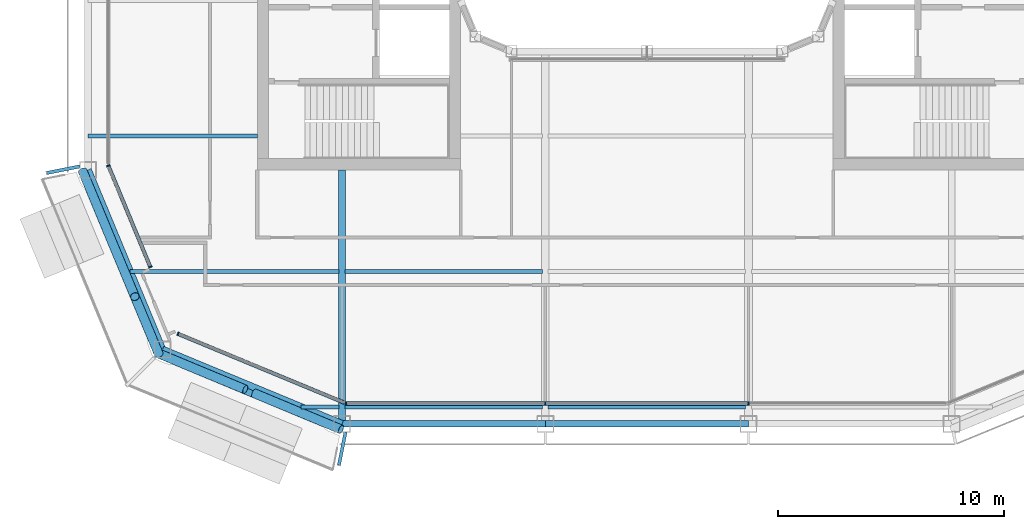
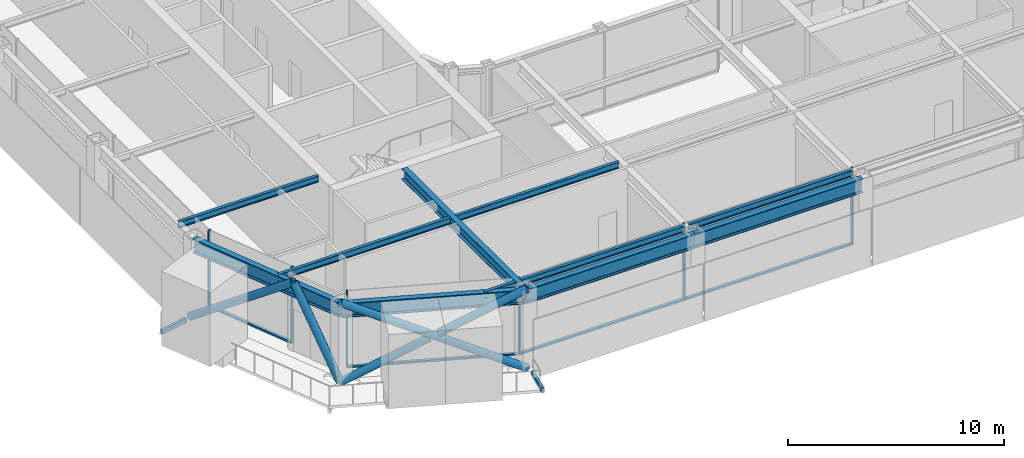
# One storey, part 2 of 20: 15 members, 13 beams, 3 elements without a shape of their own.
"""IFC4 building model written with IfcOpenShell, lengths in metres."""

import ifcopenshell
import ifcopenshell.guid

model = None  # the IFC model being written
_history = None  # IfcOwnerHistory: only IFC2X3 demands one
_inside = {}  # id of a spatial element -> (the spatial element, [elements in it])
_under = {}  # id of a project, library or spatial element -> (it, [spatial elements below it])
_declared = {}  # id of a project -> (the project, [libraries it declares])
_typed = {}  # id of a type object -> (the type object, [elements of that type])
_made_of = {}  # id of a material, layer set ... -> (it, [elements and type objects made of it])


def new_model(schema):
    """Start an empty IFC model of exactly this schema.

    Asked for "IFC4X3", IfcOpenShell would pick the latest addendum, in which some entities
    have other attributes; the version numbers below select the first issue.
    IFC2X3 requires an IfcOwnerHistory on every rooted entity: one is made here for all.
    """
    global model, _history
    if schema == "IFC4X3":
        model = ifcopenshell.file(schema_version=(4, 3, 0, 0))
    else:
        model = ifcopenshell.file(schema=schema)
    _inside.clear()
    _under.clear()
    _declared.clear()
    _typed.clear()
    _made_of.clear()
    _history = None
    if model.schema == "IFC2X3":
        org = make("IfcOrganization", Name="unknown")
        user = make(
            "IfcPersonAndOrganization",
            ThePerson=make("IfcPerson", FamilyName="unknown"),
            TheOrganization=org,
        )
        app = make(
            "IfcApplication",
            ApplicationDeveloper=org,
            Version="unknown",
            ApplicationFullName="unknown",
            ApplicationIdentifier="unknown",
        )
        _history = make(
            "IfcOwnerHistory",
            OwningUser=user,
            OwningApplication=app,
            ChangeAction="ADDED",
            CreationDate=0,
        )
    return model


def make(cls, **values):
    """One entity of the class cls with the attributes given. An attribute that is None is left unset."""
    return model.create_entity(
        cls, **{name: value for name, value in values.items() if value is not None}
    )


def rooted(cls, **values):
    """An entity with a GlobalId (a new one), such as an element, a storey or a relation."""
    return make(cls, GlobalId=ifcopenshell.guid.new(), OwnerHistory=_history, **values)


def si_unit(unit_type, name, prefix=None):
    """IfcSIUnit, for example si_unit("LENGTHUNIT", "METRE", prefix="MILLI")."""
    return make("IfcSIUnit", UnitType=unit_type, Prefix=prefix, Name=name)


def assignment(units):
    """IfcUnitAssignment: the units of a project."""
    return None if units is None else make("IfcUnitAssignment", Units=units)


def point(xyz):
    """IfcCartesianPoint."""
    return None if xyz is None else make("IfcCartesianPoint", Coordinates=xyz)


def direction(xyz):
    """IfcDirection."""
    return None if xyz is None else make("IfcDirection", DirectionRatios=xyz)


def frame(location, z_axis=None, x_axis=None):
    """IfcAxis2Placement3D, a coordinate frame: its origin and axes. An axis left out is left unset."""
    return make(
        "IfcAxis2Placement3D",
        Location=point(location),
        Axis=direction(z_axis),
        RefDirection=direction(x_axis),
    )


def frame_2d(location, x_axis=None):
    """IfcAxis2Placement2D, a coordinate frame in the plane: its origin and x axis."""
    return make(
        "IfcAxis2Placement2D", Location=point(location), RefDirection=direction(x_axis)
    )


def origin():
    """The frame at (0, 0, 0) with its axes left unset."""
    return frame((0.0, 0.0, 0.0))


def origin_2d():
    """The frame at (0, 0) in the plane with its x axis left unset."""
    return frame_2d((0.0, 0.0))


def place(relative_to, where):
    """IfcLocalPlacement: puts the frame where relative to a parent placement (None: the world)."""
    return make(
        "IfcLocalPlacement", PlacementRelTo=relative_to, RelativePlacement=where
    )


def context(
    kind, dimensions, precision=None, world=None, true_north=None, identifier=None
):
    """IfcGeometricRepresentationContext, for example the 3D "Model" context."""
    return make(
        "IfcGeometricRepresentationContext",
        ContextIdentifier=identifier,
        ContextType=kind,
        CoordinateSpaceDimension=dimensions,
        Precision=precision,
        WorldCoordinateSystem=world,
        TrueNorth=true_north,
    )


def subcontext(parent, identifier, kind, view, scale=None):
    """IfcGeometricRepresentationSubContext, for example "Body" below "Model"."""
    return make(
        "IfcGeometricRepresentationSubContext",
        ContextIdentifier=identifier,
        ContextType=kind,
        ParentContext=parent,
        TargetScale=scale,
        TargetView=view,
    )


def project(units=None, contexts=None):
    """IfcProject with its units and contexts."""
    return rooted(
        "IfcProject",
        Name="project",
        RepresentationContexts=contexts,
        UnitsInContext=assignment(units),
    )


def spatial(cls, under=None, at=None, **own):
    """A site, building, storey or space (cls), placed at a placement, below another one or the project."""
    s = rooted(cls, ObjectPlacement=at, **own)
    if under is not None:
        _under.setdefault(under.id(), (under, []))[1].append(s)
    return s


def profile(cls, at=None, kind="AREA", **sizes):
    """A parametric profile (cls). Its sizes go by their IFC names, for example OverallWidth=200.0."""
    return make(cls, ProfileType=kind, Position=at, **sizes)


def rectangle(**sizes):
    """IfcRectangleProfileDef."""
    return profile("IfcRectangleProfileDef", **sizes)


def hollow_rectangle(**sizes):
    """IfcRectangleHollowProfileDef."""
    return profile("IfcRectangleHollowProfileDef", **sizes)


def hollow_circle(**sizes):
    """IfcCircleHollowProfileDef."""
    return profile("IfcCircleHollowProfileDef", **sizes)


def i_section(**sizes):
    """IfcIShapeProfileDef."""
    return profile("IfcIShapeProfileDef", **sizes)


def extrude(swept, where, along, depth):
    """IfcExtrudedAreaSolid: the profile swept, set in the frame where, extruded along a direction by depth."""
    return make(
        "IfcExtrudedAreaSolid",
        SweptArea=swept,
        Position=where,
        ExtrudedDirection=direction(along),
        Depth=depth,
    )


def shape(context_of_items, identifier, shape_type, items):
    """IfcShapeRepresentation: the items that make up one representation, for example the "Body"."""
    return make(
        "IfcShapeRepresentation",
        ContextOfItems=context_of_items,
        RepresentationIdentifier=identifier,
        RepresentationType=shape_type,
        Items=items,
    )


def material(Name=None, Category=None):
    """IfcMaterial."""
    return make("IfcMaterial", Name=Name, Category=Category)


def layer(
    of_material, thickness, ventilated=None, Name=None, Category=None, Priority=None
):
    """IfcMaterialLayer: one layer of a wall or slab, of a material (None: an air gap)."""
    return make(
        "IfcMaterialLayer",
        Material=of_material,
        LayerThickness=thickness,
        IsVentilated=ventilated,
        Name=Name,
        Category=Category,
        Priority=Priority,
    )


def layer_set(layers, Name=None):
    """IfcMaterialLayerSet."""
    return make("IfcMaterialLayerSet", MaterialLayers=layers, LayerSetName=Name)


def material_profile(
    of_material, cross_section, Name=None, Category=None, Priority=None
):
    """IfcMaterialProfile: a cross section and its material."""
    return make(
        "IfcMaterialProfile",
        Name=Name,
        Material=of_material,
        Profile=cross_section,
        Priority=Priority,
        Category=Category,
    )


def profile_set(profiles, Name=None, composite=None):
    """IfcMaterialProfileSet."""
    return make(
        "IfcMaterialProfileSet",
        Name=Name,
        MaterialProfiles=profiles,
        CompositeProfile=composite,
    )


def made_of(thing, what):
    """Note that an element or type object is made of a material, layer set ...; save() writes the relation."""
    if what is not None:
        _made_of.setdefault(what.id(), (what, []))[1].append(thing)
    return thing


def type_object(cls, material=None, **own):
    """A type object (cls), such as IfcWallType, which elements share."""
    return made_of(rooted(cls, **own), material)


def element(
    cls,
    number,
    at=None,
    inside=None,
    cuts=None,
    type_object=None,
    material=None,
    context=None,
    identifier="Body",
    shape_type=None,
    held_by="IfcProductDefinitionShape",
    body=None,
    shapes=None,
    **own,
):
    """One element of the class cls, such as IfcWall. Its Tag is "e" and its number.

    at: its placement. inside: the storey or other place that contains it. cuts: it is an
    opening in that element (IfcRelVoidsElement). A single representation is given by context,
    identifier, shape_type and body (its items); several are given by shapes. held_by: the class
    of the entity that holds the representations. save() writes the other relations.
    """
    e = rooted(cls, Tag="e%d" % number, ObjectPlacement=at, **own)
    if body is not None:
        shapes = [shape(context, identifier, shape_type, body)]
    if shapes is not None:
        e.Representation = make(held_by, Representations=shapes)
    if inside is not None:
        _inside.setdefault(inside.id(), (inside, []))[1].append(e)
    if cuts is not None:
        rooted(
            "IfcRelVoidsElement", RelatingBuildingElement=cuts, RelatedOpeningElement=e
        )
    if type_object is not None:
        _typed.setdefault(type_object.id(), (type_object, []))[1].append(e)
    return made_of(e, material)


def aggregate(whole, parts):
    """IfcRelAggregates: a whole, such as a stair, and the parts it consists of."""
    return rooted("IfcRelAggregates", RelatingObject=whole, RelatedObjects=parts)


def save(model, path):
    """Write the relations noted so far, then the file.

    IfcRelAggregates (storeys below a building ...), IfcRelContainedInSpatialStructure (elements
    in a storey), IfcRelDefinesByType, IfcRelAssociatesMaterial and IfcRelDeclares: one each for
    every whole, place, type object, material and project.
    """
    for whole, parts in _under.values():
        aggregate(whole, parts)
    for where, things in _inside.values():
        rooted(
            "IfcRelContainedInSpatialStructure",
            RelatedElements=things,
            RelatingStructure=where,
        )
    for kind, things in _typed.values():
        rooted("IfcRelDefinesByType", RelatedObjects=things, RelatingType=kind)
    for what, things in _made_of.values():
        rooted("IfcRelAssociatesMaterial", RelatedObjects=things, RelatingMaterial=what)
    for by, libraries in _declared.values():
        rooted("IfcRelDeclares", RelatingContext=by, RelatedDefinitions=libraries)
    model.write(path)


model = new_model("IFC4")

# Units and contexts
model_context = context("Model", 3, precision=1e-05, world=origin(), true_north=direction((0.0, 1.0)))
body_context = subcontext(model_context, "Body", "Model", "MODEL_VIEW")
ifc_project = project(units=[si_unit("LENGTHUNIT", "METRE"), si_unit("AREAUNIT", "SQUARE_METRE"), si_unit("VOLUMEUNIT", "CUBIC_METRE"), si_unit("PLANEANGLEUNIT", "RADIAN"), si_unit("MASSUNIT", "GRAM", prefix="KILO")], contexts=[model_context])

# Site, building, storey
site_placement = place(None, origin())
site = spatial("IfcSite", under=ifc_project, at=site_placement, CompositionType="ELEMENT")
building_placement = place(site_placement, origin())
building = spatial("IfcBuilding", under=site, at=building_placement, Name="Siwar Civic Tower", CompositionType="ELEMENT")
storey_placement = place(building_placement, frame((0.0, 0.0, 298.699951171875)))
storey = spatial("IfcBuildingStorey", under=building, at=storey_placement, Name="L64", CompositionType="ELEMENT", Elevation=298.699951171875)

# Beams
ifc_material_1 = material(Name="Steel S355", Category="steel")
ifc_material_profile_1 = material_profile(ifc_material_1, hollow_rectangle(XDim=0.14990234375, YDim=0.25, WallThickness=0.010009765625, at=origin_2d()), Name="RHS250x150x10")
ifc_profile_set_1 = profile_set([ifc_material_profile_1], Name="Steel S355")
beam_type_1 = type_object("IfcBeamType", Name="ENV-BALCONY ARM", PredefinedType="BEAM", material=ifc_profile_set_1)
for number, where, z_axis, x_axis, name in (
    (1, (-25.125, -13.350341796875, -0.27490234375), (-0.980800841714, -0.195012073712, 0.0), (0.195012073712, -0.980800841714, 0.0), "Balcony cantilever beam SW 1"),
    (2, (-13.350341796875, -25.125, -0.27490234375), (-0.195012073712, -0.980800841714, 0.0), (0.980800841714, -0.195012073712, 0.0), "Balcony cantilever beam SW 3"),
):
    element("IfcBeam", number, at=place(storey_placement, frame(where, z_axis=z_axis, x_axis=x_axis)), inside=storey, type_object=beam_type_1, Name=name, PredefinedType="BEAM", context=body_context, shape_type="SweptSolid", body=[
        extrude(hollow_rectangle(XDim=0.14990234375, YDim=0.25, WallThickness=0.010009765625, at=origin_2d()), origin(), (0.0, 0.0, 1.0), 1.488525390625),
    ])

# Curtain wall, members
ifc_material_2 = material(Name="Aluminium and glass", Category="aluminium")
ifc_layer_1 = layer(ifc_material_2, 0.159912109375)
ifc_layer_set_1 = layer_set([ifc_layer_1], Name="Aluminium and glass")
curtain_wall_type_1 = type_object("IfcCurtainWallType", Name="ENV-CW-D", PredefinedType="NOTDEFINED", material=ifc_layer_set_1)
curtain_wall_1_placement = place(storey_placement, origin())
curtain_wall_1 = element("IfcCurtainWall", 3, at=curtain_wall_1_placement, inside=storey, type_object=curtain_wall_type_1, Name="Curtain wall D S", PredefinedType="NOTDEFINED")
ifc_material_3 = material(Name="Aluminium 6063-T6", Category="aluminium")
ifc_material_profile_2 = material_profile(ifc_material_3, rectangle(XDim=0.159912109375, YDim=0.06005859375, at=origin_2d()), Name="AL 160x60")
ifc_profile_set_2 = profile_set([ifc_material_profile_2], Name="Aluminium 6063-T6")
member_type_1 = type_object("IfcMemberType", Name="ENV-MULLION-D", PredefinedType="MULLION", material=ifc_profile_set_2)
member_1_placement = place(storey_placement, frame((-13.321044921875, -23.85009765625, 0.0), z_axis=(0.0, 0.0, 1.0), x_axis=(0.0, 1.0, 0.0)))
member_1 = element("IfcMember", 4, at=member_1_placement, type_object=member_type_1, Name="Mullion D S 1", PredefinedType="MULLION", context=body_context, shape_type="SweptSolid", body=[
    extrude(rectangle(XDim=0.159912109375, YDim=0.06005859375, at=origin_2d()), origin(), (0.0, 0.0, 1.0), 4.35009765625),
])
member_2_placement = place(storey_placement, frame((-4.5, -23.85009765625, 0.0), z_axis=(0.0, 0.0, 1.0), x_axis=(0.0, 1.0, 0.0)))
member_2 = element("IfcMember", 5, at=member_2_placement, type_object=member_type_1, Name="Mullion D S 2", PredefinedType="MULLION", context=body_context, shape_type="SweptSolid", body=[
    extrude(rectangle(XDim=0.159912109375, YDim=0.06005859375, at=origin_2d()), origin(), (0.0, 0.0, 1.0), 4.35009765625),
])
member_3_placement = place(storey_placement, frame((4.5, -23.85009765625, 0.0), z_axis=(0.0, 0.0, 1.0), x_axis=(0.0, 1.0, 0.0)))
member_3 = element("IfcMember", 6, at=member_3_placement, type_object=member_type_1, Name="Mullion D S 3", PredefinedType="MULLION", context=body_context, shape_type="SweptSolid", body=[
    extrude(rectangle(XDim=0.159912109375, YDim=0.06005859375, at=origin_2d()), origin(), (0.0, 0.0, 1.0), 4.35009765625),
])

ifc_material_4 = material(Name="Aluminium clad insulated panel", Category="aluminium")
ifc_layer_2 = layer(ifc_material_4, 0.159912109375)
ifc_layer_set_2 = layer_set([ifc_layer_2], Name="Aluminium clad insulated panel")
curtain_wall_type_2 = type_object("IfcCurtainWallType", Name="ENV-CW-DX", PredefinedType="NOTDEFINED", material=ifc_layer_set_2)
curtain_wall_2_placement = place(storey_placement, origin())
curtain_wall_2 = element("IfcCurtainWall", 7, at=curtain_wall_2_placement, inside=storey, type_object=curtain_wall_type_2, Name="Curtain wall D SW1", PredefinedType="NOTDEFINED")
member_4_placement = place(storey_placement, frame((-23.85009765625, -13.321044921875, 0.0), z_axis=(0.0, 0.0, 1.0), x_axis=(0.923879532511, 0.382683432365, 0.0)))
member_4 = element("IfcMember", 8, at=member_4_placement, type_object=member_type_1, Name="Mullion D SW1 1", PredefinedType="MULLION", context=body_context, shape_type="SweptSolid", body=[
    extrude(rectangle(XDim=0.159912109375, YDim=0.06005859375, at=origin_2d()), origin(), (0.0, 0.0, 1.0), 4.35009765625),
])
member_5_placement = place(storey_placement, frame((-21.9951171875, -17.799072265625, 0.0), z_axis=(0.0, 0.0, 1.0), x_axis=(0.923879532511, 0.382683432365, 0.0)))
member_5 = element("IfcMember", 9, at=member_5_placement, type_object=member_type_1, Name="Mullion D SW1 2", PredefinedType="MULLION", context=body_context, shape_type="SweptSolid", body=[
    extrude(rectangle(XDim=0.159912109375, YDim=0.06005859375, at=origin_2d()), origin(), (0.0, 0.0, 1.0), 4.35009765625),
])

# Curtain wall, member
curtain_wall_3_placement = place(storey_placement, origin())
curtain_wall_3 = element("IfcCurtainWall", 10, at=curtain_wall_3_placement, inside=storey, type_object=curtain_wall_type_2, Name="Curtain wall D SW2", PredefinedType="NOTDEFINED")
member_6_placement = place(storey_placement, frame((-20.76611328125, -20.76611328125, 0.0), z_axis=(0.0, 0.0, 1.0), x_axis=(0.382683432365, 0.923879532511, 0.0)))
member_6 = element("IfcMember", 11, at=member_6_placement, type_object=member_type_1, Name="Mullion D SW2 1", PredefinedType="MULLION", context=body_context, shape_type="SweptSolid", body=[
    extrude(rectangle(XDim=0.159912109375, YDim=0.06005859375, at=origin_2d()), origin(), (0.0, 0.0, 1.0), 4.35009765625),
])

# Member
ifc_material_5 = material(Name="Aluminium 6063-T6", Category="aluminium")
ifc_material_profile_3 = material_profile(ifc_material_5, rectangle(XDim=0.159912109375, YDim=0.10009765625, at=origin_2d()), Name="AL 160x100")
ifc_profile_set_3 = profile_set([ifc_material_profile_3], Name="Aluminium 6063-T6")
member_type_2 = type_object("IfcMemberType", Name="ENV-TRANSOM-D", PredefinedType="USERDEFINED", material=ifc_profile_set_3)
member_7_placement = place(storey_placement, frame((-13.291015625, -23.85009765625, 0.050048828125), z_axis=(1.0, 0.0, 0.0), x_axis=(0.0, 1.0, 0.0)))
member_7 = element("IfcMember", 12, at=member_7_placement, type_object=member_type_2, Name="Transom D S 1", ObjectType="TRANSOM", PredefinedType="USERDEFINED", context=body_context, shape_type="SweptSolid", body=[
    extrude(rectangle(XDim=0.159912109375, YDim=0.10009765625, at=origin_2d()), origin(), (0.0, 0.0, 1.0), 8.760986328125),
])

member_8_placement = place(storey_placement, frame((-4.469970703125, -23.85009765625, 0.050048828125), z_axis=(1.0, 0.0, 0.0), x_axis=(0.0, 1.0, 0.0)))
member_8 = element("IfcMember", 13, at=member_8_placement, type_object=member_type_2, Name="Transom D S 2", ObjectType="TRANSOM", PredefinedType="USERDEFINED", context=body_context, shape_type="SweptSolid", body=[
    extrude(rectangle(XDim=0.159912109375, YDim=0.10009765625, at=origin_2d()), origin(), (0.0, 0.0, 1.0), 8.93994140625),
])

aggregate(curtain_wall_1, [member_1, member_2, member_3, member_7, member_8])

member_9_placement = place(storey_placement, frame((-23.838623046875, -13.3486328125, 0.050048828125), z_axis=(0.382688094537, -0.923877601363, 0.0), x_axis=(0.923877601363, 0.382688094537, 0.0)))
member_9 = element("IfcMember", 14, at=member_9_placement, type_object=member_type_2, Name="Transom D SW1 1", ObjectType="TRANSOM", PredefinedType="USERDEFINED", context=body_context, shape_type="SweptSolid", body=[
    extrude(rectangle(XDim=0.159912109375, YDim=0.10009765625, at=origin_2d()), origin(), (0.0, 0.0, 1.0), 4.787353515625),
])

aggregate(curtain_wall_2, [member_4, member_5, member_9])

member_10_placement = place(storey_placement, frame((-20.738525390625, -20.777587890625, 0.050048828125), z_axis=(0.923883640343, -0.382673515031, 0.0), x_axis=(0.382673515031, 0.923883640343, 0.0)))
member_10 = element("IfcMember", 15, at=member_10_placement, type_object=member_type_2, Name="Transom D SW2 1", ObjectType="TRANSOM", PredefinedType="USERDEFINED", context=body_context, shape_type="SweptSolid", body=[
    extrude(rectangle(XDim=0.159912109375, YDim=0.10009765625, at=origin_2d()), origin(), (0.0, 0.0, 1.0), 7.930908203125),
])

aggregate(curtain_wall_3, [member_6, member_10])

# Members
ifc_material_6 = material(Name="Steel S355", Category="steel")
ifc_material_profile_4 = material_profile(ifc_material_6, hollow_circle(Radius=0.203125, WallThickness=0.01611328125, at=origin_2d()), Name="CHS406.4x16")
ifc_profile_set_4 = profile_set([ifc_material_profile_4], Name="Steel S355")
member_type_3 = type_object("IfcMemberType", Name="STR-BR-CHS406.4x16", PredefinedType="BRACE", material=ifc_profile_set_4)
member_11_placement = place(storey_placement, frame((-13.548828125, -24.9951171875, 0.0), z_axis=(-0.821142553604, 0.341671493852, 0.457149315816), x_axis=(-0.384163874976, -0.923264922524, 0.0)))
element("IfcMember", 16, at=member_11_placement, inside=storey, type_object=member_type_3, Name="L64/brc/DSW1-3-0-1", PredefinedType="BRACE", context=body_context, shape_type="SweptSolid", body=[
    extrude(hollow_circle(Radius=0.203125, WallThickness=0.01611328125, at=origin_2d()), origin(), (0.0, 0.0, 1.0), 9.843505859375),
])
member_12_placement = place(storey_placement, frame((-21.6318359375, -21.6318359375, 0.0), z_axis=(0.821147096886, -0.341644380467, 0.457161418507), x_axis=(0.38413607648, 0.923276488787, 0.0)))
element("IfcMember", 17, at=member_12_placement, inside=storey, type_object=member_type_3, Name="L64/brc/DSW1-3-0-2", PredefinedType="BRACE", context=body_context, shape_type="SweptSolid", body=[
    extrude(hollow_circle(Radius=0.203125, WallThickness=0.01611328125, at=origin_2d()), origin(), (0.0, 0.0, 1.0), 4.677001953125),
])
member_13_placement = place(storey_placement, frame((-17.38916015625, -23.397216796875, 2.362060546875), z_axis=(0.821149689876, -0.341667178655, 0.457139722456), x_axis=(0.384156893273, 0.923267827529, 0.0)))
element("IfcMember", 18, at=member_13_placement, inside=storey, type_object=member_type_3, Name="L64/brc/DSW1-3-0-3", PredefinedType="BRACE", context=body_context, shape_type="SweptSolid", body=[
    extrude(hollow_circle(Radius=0.203125, WallThickness=0.01611328125, at=origin_2d()), origin(), (0.0, 0.0, 1.0), 4.6767578125),
])
member_14_placement = place(storey_placement, frame((-24.9951171875, -13.548828125, 0.0), z_axis=(0.307903068035, -0.739973158344, 0.598026275029), x_axis=(0.923262455747, 0.384169803352, 0.0)))
element("IfcMember", 19, at=member_14_placement, inside=storey, type_object=member_type_3, Name="L64/brc/DSW1-3-0-0", PredefinedType="BRACE", context=body_context, shape_type="SweptSolid", body=[
    extrude(hollow_circle(Radius=0.203125, WallThickness=0.01611328125, at=origin_2d()), origin(), (0.0, 0.0, 1.0), 7.524658203125),
])
member_15_placement = place(storey_placement, frame((-21.6318359375, -21.6318359375, 0.0), z_axis=(-0.198925611165, 0.478099094869, 0.855482236349), x_axis=(-0.92327038402, -0.384150749045, 0.0)))
element("IfcMember", 20, at=member_15_placement, inside=storey, type_object=member_type_3, Name="L64/brc/DSW1-3-0-6", PredefinedType="BRACE", context=body_context, shape_type="SweptSolid", body=[
    extrude(hollow_circle(Radius=0.203125, WallThickness=0.01611328125, at=origin_2d()), origin(), (0.0, 0.0, 1.0), 5.26025390625),
])

# Beams
ifc_material_7 = material(Name="Steel S355", Category="steel")
ifc_material_profile_5 = material_profile(ifc_material_7, i_section(OverallWidth=0.169921875, OverallDepth=0.360107421875, WebThickness=0.008056640625, FlangeThickness=0.0126953125, FilletRadius=0.01806640625, at=origin_2d()), Name="IPE360")
ifc_profile_set_5 = profile_set([ifc_material_profile_5], Name="Steel S355")
beam_type_2 = type_object("IfcBeamType", Name="STR-FB-IPE360", PredefinedType="JOIST", material=ifc_profile_set_5)
beam_1_placement = place(storey_placement, frame((-15.310546875, -24.0, 4.170166015625), z_axis=(1.0, 0.0, 0.0), x_axis=(0.0, 1.0, 0.0)))
element("IfcBeam", 21, at=beam_1_placement, inside=storey, type_object=beam_type_2, Name="L64/bm/F001", PredefinedType="JOIST", context=body_context, shape_type="SweptSolid", body=[
    extrude(i_section(OverallWidth=0.169921875, OverallDepth=0.360107421875, WebThickness=0.008056640625, FlangeThickness=0.0126953125, FilletRadius=0.01806640625, at=origin_2d()), origin(), (0.0, 0.0, 1.0), 1.6806640625),
])
for number, where, z_axis, x_axis, name in (
    (22, (-13.3701171875, -24.0, 4.170166015625), (1.0, 0.0, 0.0), (0.0, 1.0, 0.0), "L64/bm/F002"),
    (23, (-4.3701171875, -24.0, 4.170166015625), (1.0, 0.0, 0.0), (0.0, 1.0, 0.0), "L64/bm/F003"),
):
    element("IfcBeam", number, at=place(storey_placement, frame(where, z_axis=z_axis, x_axis=x_axis)), inside=storey, type_object=beam_type_2, Name=name, PredefinedType="JOIST", context=body_context, shape_type="SweptSolid", body=[
        extrude(i_section(OverallWidth=0.169921875, OverallDepth=0.360107421875, WebThickness=0.008056640625, FlangeThickness=0.0126953125, FilletRadius=0.01806640625, at=origin_2d()), origin(), (0.0, 0.0, 1.0), 8.740234375),
    ])
beam_2_placement = place(storey_placement, frame((-22.885986328125, -18.0, 4.170166015625), z_axis=(1.0, 0.0, 0.0), x_axis=(0.0, 1.0, 0.0)))
element("IfcBeam", 24, at=beam_2_placement, inside=storey, type_object=beam_type_2, Name="L64/bm/F006", PredefinedType="JOIST", context=body_context, shape_type="SweptSolid", body=[
    extrude(i_section(OverallWidth=0.169921875, OverallDepth=0.360107421875, WebThickness=0.008056640625, FlangeThickness=0.0126953125, FilletRadius=0.01806640625, at=origin_2d()), origin(), (0.0, 0.0, 1.0), 9.256103515625),
])
beam_3_placement = place(storey_placement, frame((-13.3701171875, -18.0, 4.170166015625), z_axis=(1.0, 0.0, 0.0), x_axis=(0.0, 1.0, 0.0)))
element("IfcBeam", 25, at=beam_3_placement, inside=storey, type_object=beam_type_2, Name="L64/bm/F007", PredefinedType="JOIST", context=body_context, shape_type="SweptSolid", body=[
    extrude(i_section(OverallWidth=0.169921875, OverallDepth=0.360107421875, WebThickness=0.008056640625, FlangeThickness=0.0126953125, FilletRadius=0.01806640625, at=origin_2d()), origin(), (0.0, 0.0, 1.0), 8.740234375),
])
beam_4_placement = place(storey_placement, frame((-24.75, -12.0, 4.170166015625), z_axis=(1.0, 0.0, 0.0), x_axis=(0.0, 1.0, 0.0)))
element("IfcBeam", 26, at=beam_4_placement, inside=storey, type_object=beam_type_2, Name="L64/bm/F011", PredefinedType="JOIST", context=body_context, shape_type="SweptSolid", body=[
    extrude(i_section(OverallWidth=0.169921875, OverallDepth=0.360107421875, WebThickness=0.008056640625, FlangeThickness=0.0126953125, FilletRadius=0.01806640625, at=origin_2d()), origin(), (0.0, 0.0, 1.0), 7.5),
])
ifc_material_8 = material(Name="Steel S355", Category="steel")
ifc_material_profile_6 = material_profile(ifc_material_8, i_section(OverallWidth=0.300048828125, OverallDepth=0.60009765625, WebThickness=0.015380859375, FlangeThickness=0.030029296875, FilletRadius=0.027099609375, at=origin_2d()), Name="HEB600")
ifc_profile_set_6 = profile_set([ifc_material_profile_6], Name="Steel S355")
beam_type_3 = type_object("IfcBeamType", Name="STR-PG-HEB600", PredefinedType="BEAM", material=ifc_profile_set_6)
beam_5_placement = place(storey_placement, frame((-13.5, -24.75, 4.050048828125), z_axis=(0.0, 1.0, 0.0), x_axis=(-1.0, 0.0, 0.0)))
element("IfcBeam", 27, at=beam_5_placement, inside=storey, type_object=beam_type_3, Name="L64/bm/G01", PredefinedType="BEAM", context=body_context, shape_type="SweptSolid", body=[
    extrude(i_section(OverallWidth=0.300048828125, OverallDepth=0.60009765625, WebThickness=0.015380859375, FlangeThickness=0.030029296875, FilletRadius=0.027099609375, at=origin_2d()), origin(), (0.0, 0.0, 1.0), 11.25),
])
ifc_material_9 = material(Name="Steel S355", Category="steel")
ifc_material_profile_7 = material_profile(ifc_material_9, i_section(OverallWidth=0.300048828125, OverallDepth=0.800048828125, WebThickness=0.017578125, FlangeThickness=0.032958984375, FilletRadius=0.030029296875, at=origin_2d()), Name="HEB800")
ifc_profile_set_7 = profile_set([ifc_material_profile_7], Name="Steel S355")
beam_type_4 = type_object("IfcBeamType", Name="STR-SB-HEB800", PredefinedType="BEAM", material=ifc_profile_set_7)
for number, where, z_axis, x_axis, name in (
    (28, (-13.5, -24.75, 3.949951171875), (1.0, 0.0, 0.0), (0.0, 1.0, 0.0), "L64/bm/SS-0"),
    (29, (-4.5, -24.75, 3.949951171875), (1.0, 0.0, 0.0), (0.0, 1.0, 0.0), "L64/bm/SS-1"),
):
    element("IfcBeam", number, at=place(storey_placement, frame(where, z_axis=z_axis, x_axis=x_axis)), inside=storey, type_object=beam_type_4, Name=name, PredefinedType="BEAM", context=body_context, shape_type="SweptSolid", body=[
        extrude(i_section(OverallWidth=0.300048828125, OverallDepth=0.800048828125, WebThickness=0.017578125, FlangeThickness=0.032958984375, FilletRadius=0.030029296875, at=origin_2d()), origin(), (0.0, 0.0, 1.0), 9.0),
    ])
for number, where, z_axis, x_axis, name in (
    (30, (-24.75, -13.5, 3.949951171875), (0.382699877515, -0.923872720536, 0.0), (0.923872720536, 0.382699877515, 0.0), "L64/bm/SSW1-0"),
    (31, (-21.454833984375, -21.454833984375, 3.949951171875), (0.923872720536, -0.382699877515, 0.0), (0.382699877515, 0.923872720536, 0.0), "L64/bm/SSW2-0"),
):
    element("IfcBeam", number, at=place(storey_placement, frame(where, z_axis=z_axis, x_axis=x_axis)), inside=storey, type_object=beam_type_4, Name=name, PredefinedType="BEAM", context=body_context, shape_type="SweptSolid", body=[
        extrude(i_section(OverallWidth=0.300048828125, OverallDepth=0.800048828125, WebThickness=0.017578125, FlangeThickness=0.032958984375, FilletRadius=0.030029296875, at=origin_2d()), origin(), (0.0, 0.0, 1.0), 8.6103515625),
    ])

save(model, "model.ifc")
